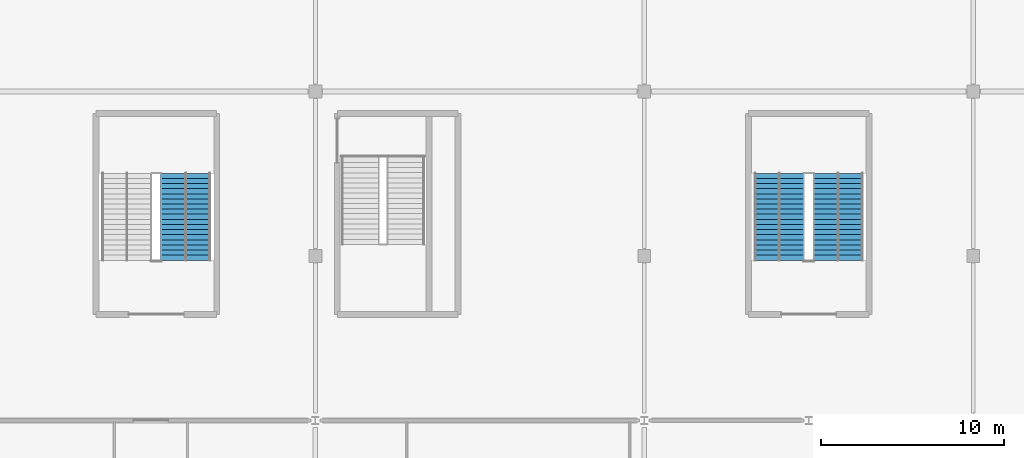
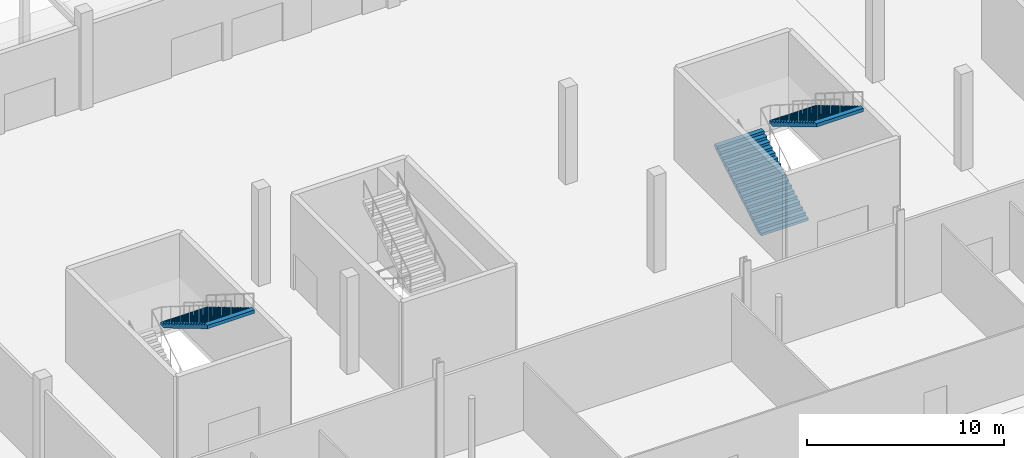
# One storey, part 60 of 84: 3 stair flights, 2 elements without a shape of their own.
"""IFC4 building model written with IfcOpenShell, lengths in metres."""

from ifc_helpers import new_model, si_unit, direction, frame, origin, place, context, subcontext, project, spatial, polygons, material, type_object, element, aggregate, save


model = new_model("IFC4")

# Units and contexts
model_context = context("Model", 3, precision=1e-05, world=origin(), true_north=direction((0.0, 1.0)))
body_context = subcontext(model_context, "Body", "Model", "MODEL_VIEW")
ifc_project = project(units=[si_unit("LENGTHUNIT", "METRE"), si_unit("AREAUNIT", "SQUARE_METRE"), si_unit("VOLUMEUNIT", "CUBIC_METRE"), si_unit("PLANEANGLEUNIT", "RADIAN"), si_unit("MASSUNIT", "GRAM", prefix="KILO")], contexts=[model_context])

# Site, building, storey
site_placement = place(None, origin())
site = spatial("IfcSite", under=ifc_project, at=site_placement, CompositionType="ELEMENT")
building_placement = place(site_placement, origin())
building = spatial("IfcBuilding", under=site, at=building_placement, Name="Kisiwana Market Hall", CompositionType="ELEMENT")
storey_placement = place(building_placement, origin())
storey = spatial("IfcBuildingStorey", under=building, at=storey_placement, Name="L00", CompositionType="ELEMENT", Elevation=0.0)

# Stair, stair flight
ifc_material_1 = material(Name="Concrete C32/40", Category="concrete")
stair_type = type_object("IfcStairType", Name="ST-ESC-6000", PredefinedType="TWO_STRAIGHT_RUN_STAIR", material=ifc_material_1)
stair_1_placement = place(storey_placement, origin())
stair_1 = element("IfcStair", 1, at=stair_1_placement, inside=storey, type_object=stair_type, Name="Escape stair ST-N3-L00", PredefinedType="TWO_STRAIGHT_RUN_STAIR")
ifc_material_2 = material(Name="Concrete C32/40", Category="concrete")
stair_flight_type = type_object("IfcStairFlightType", Name="SF-ESC-6000", PredefinedType="STRAIGHT", material=ifc_material_2)
stair_flight_1_placement = place(storey_placement, frame((55.909912109375, 97.52001953125, 3.0), z_axis=(0.0, 0.0, 1.0), x_axis=(0.0, -1.0, 0.0)))
stair_flight_1 = element("IfcStairFlight", 2, at=stair_flight_1_placement, type_object=stair_flight_type, Name="ST-N3-L00 flight 2", NumberOfRisers=18, NumberOfTreads=17, PredefinedType="STRAIGHT", RiserHeight=0.166667, TreadLength=0.28, context=body_context, shape_type="Tessellation", body=[
    polygons([(0.0, -1.380127, 0.0), (0.0, -0.690125, 0.0), (0.0, -0.000122, 0.0), (0.0, 0.68988, 0.0), (0.0, 1.379883, 0.0), (0.0, -1.380127, 0.166748), (0.0, -0.690125, 0.166748), (0.0, -0.000122, 0.166748), (0.0, 0.68988, 0.166748), (0.0, 1.379883, 0.166748), (0.280029, -1.380127, 0.166748), (0.280029, -0.690125, 0.166748), (0.280029, -0.000122, 0.166748), (0.280029, 0.68988, 0.166748), (0.280029, 1.379883, 0.166748), (0.280029, -1.380127, 0.333252), (0.280029, -0.690125, 0.333252), (0.280029, -0.000122, 0.333252), (0.280029, 0.68988, 0.333252), (0.280029, 1.379883, 0.333252), (0.560059, -1.380127, 0.333252), (0.560059, -0.690125, 0.333252), (0.560059, -0.000122, 0.333252), (0.560059, 0.68988, 0.333252), (0.560059, 1.379883, 0.333252), (0.560059, -1.380127, 0.5), (0.560059, -0.690125, 0.5), (0.560059, -0.000122, 0.5), (0.560059, 0.68988, 0.5), (0.560059, 1.379883, 0.5), (0.840088, -1.380127, 0.5), (0.840088, -0.690125, 0.5), (0.840088, -0.000122, 0.5), (0.840088, 0.68988, 0.5), (0.840088, 1.379883, 0.5), (0.840088, -1.380127, 0.666748), (0.840088, -0.690125, 0.666748), (0.840088, -0.000122, 0.666748), (0.840088, 0.68988, 0.666748), (0.840088, 1.379883, 0.666748), (1.120117, -1.380127, 0.666748), (1.120117, -0.690125, 0.666748), (1.120117, -0.000122, 0.666748), (1.120117, 0.68988, 0.666748), (1.120117, 1.379883, 0.666748), (1.120117, -1.380127, 0.833252), (1.120117, -0.690125, 0.833252), (1.120117, -0.000122, 0.833252), (1.120117, 0.68988, 0.833252), (1.120117, 1.379883, 0.833252), (1.399902, -1.380127, 0.833252), (1.399902, -0.690125, 0.833252), (1.399902, -0.000122, 0.833252), (1.399902, 0.68988, 0.833252), (1.399902, 1.379883, 0.833252), (1.399902, -1.380127, 1.0), (1.399902, -0.690125, 1.0), (1.399902, -0.000122, 1.0), (1.399902, 0.68988, 1.0), (1.399902, 1.379883, 1.0), (1.679932, -1.380127, 1.0), (1.679932, -0.690125, 1.0), (1.679932, -0.000122, 1.0), (1.679932, 0.68988, 1.0), (1.679932, 1.379883, 1.0), (1.679932, -1.380127, 1.166748), (1.679932, -0.690125, 1.166748), (1.679932, -0.000122, 1.166748), (1.679932, 0.68988, 1.166748), (1.679932, 1.379883, 1.166748), (1.959961, -1.380127, 1.166748), (1.959961, -0.690125, 1.166748), (1.959961, -0.000122, 1.166748), (1.959961, 0.68988, 1.166748), (1.959961, 1.379883, 1.166748), (1.959961, -1.380127, 1.333252), (1.959961, -0.690125, 1.333252), (1.959961, -0.000122, 1.333252), (1.959961, 0.68988, 1.333252), (1.959961, 1.379883, 1.333252), (2.23999, -1.380127, 1.333252), (2.23999, -0.690125, 1.333252), (2.23999, -0.000122, 1.333252), (2.23999, 0.68988, 1.333252), (2.23999, 1.379883, 1.333252), (2.23999, -1.380127, 1.5), (2.23999, -0.690125, 1.5), (2.23999, -0.000122, 1.5), (2.23999, 0.68988, 1.5), (2.23999, 1.379883, 1.5), (2.52002, -1.380127, 1.5), (2.52002, -0.690125, 1.5), (2.52002, -0.000122, 1.5), (2.52002, 0.68988, 1.5), (2.52002, 1.379883, 1.5), (2.52002, -1.380127, 1.666748), (2.52002, -0.690125, 1.666748), (2.52002, -0.000122, 1.666748), (2.52002, 0.68988, 1.666748), (2.52002, 1.379883, 1.666748), (2.800049, -1.380127, 1.666748), (2.800049, -0.690125, 1.666748), (2.800049, -0.000122, 1.666748), (2.800049, 0.68988, 1.666748), (2.800049, 1.379883, 1.666748), (2.800049, -1.380127, 1.833252), (2.800049, -0.690125, 1.833252), (2.800049, -0.000122, 1.833252), (2.800049, 0.68988, 1.833252), (2.800049, 1.379883, 1.833252), (3.080078, -1.380127, 1.833252), (3.080078, -0.690125, 1.833252), (3.080078, -0.000122, 1.833252), (3.080078, 0.68988, 1.833252), (3.080078, 1.379883, 1.833252), (3.080078, -1.380127, 2.0), (3.080078, -0.690125, 2.0), (3.080078, -0.000122, 2.0), (3.080078, 0.68988, 2.0), (3.080078, 1.379883, 2.0), (3.360107, -1.380127, 2.0), (3.360107, -0.690125, 2.0), (3.360107, -0.000122, 2.0), (3.360107, 0.68988, 2.0), (3.360107, 1.379883, 2.0), (3.360107, -1.380127, 2.166748), (3.360107, -0.690125, 2.166748), (3.360107, -0.000122, 2.166748), (3.360107, 0.68988, 2.166748), (3.360107, 1.379883, 2.166748), (3.639893, -1.380127, 2.166748), (3.639893, -0.690125, 2.166748), (3.639893, -0.000122, 2.166748), (3.639893, 0.68988, 2.166748), (3.639893, 1.379883, 2.166748), (3.639893, -1.380127, 2.333252), (3.639893, -0.690125, 2.333252), (3.639893, -0.000122, 2.333252), (3.639893, 0.68988, 2.333252), (3.639893, 1.379883, 2.333252), (3.919922, -1.380127, 2.333252), (3.919922, -0.690125, 2.333252), (3.919922, -0.000122, 2.333252), (3.919922, 0.68988, 2.333252), (3.919922, 1.379883, 2.333252), (3.919922, -1.380127, 2.5), (3.919922, -0.690125, 2.5), (3.919922, -0.000122, 2.5), (3.919922, 0.68988, 2.5), (3.919922, 1.379883, 2.5), (4.199951, -1.380127, 2.5), (4.199951, -0.690125, 2.5), (4.199951, -0.000122, 2.5), (4.199951, 0.68988, 2.5), (4.199951, 1.379883, 2.5), (4.199951, -1.380127, 2.666748), (4.199951, -0.690125, 2.666748), (4.199951, -0.000122, 2.666748), (4.199951, 0.68988, 2.666748), (4.199951, 1.379883, 2.666748), (4.47998, -1.380127, 2.666748), (4.47998, -0.690125, 2.666748), (4.47998, -0.000122, 2.666748), (4.47998, 0.68988, 2.666748), (4.47998, 1.379883, 2.666748), (4.47998, -1.380127, 2.833252), (4.47998, -0.690125, 2.833252), (4.47998, -0.000122, 2.833252), (4.47998, 0.68988, 2.833252), (4.47998, 1.379883, 2.833252), (4.76001, -1.380127, 2.833252), (4.76001, -0.690125, 2.833252), (4.76001, -0.000122, 2.833252), (4.76001, 0.68988, 2.833252), (4.76001, 1.379883, 2.833252), (4.76001, -1.380127, 2.624023), (4.76001, -0.690125, 2.624023), (4.76001, -0.000122, 2.624023), (4.76001, 0.68988, 2.624023), (4.76001, 1.379883, 2.624023), (0.351807, -1.380127, 0.0), (0.351807, -0.690125, 0.0), (0.351807, -0.000122, 0.0), (0.351807, 0.68988, 0.0), (0.351807, 1.379883, 0.0)], [[[1, 6, 7, 2]], [[2, 7, 8, 3]], [[3, 8, 9, 4]], [[4, 9, 10, 5]], [[6, 11, 12, 7]], [[7, 12, 13, 8]], [[8, 13, 14, 9]], [[9, 14, 15, 10]], [[11, 16, 17, 12]], [[12, 17, 18, 13]], [[13, 18, 19, 14]], [[14, 19, 20, 15]], [[16, 21, 22, 17]], [[17, 22, 23, 18]], [[18, 23, 24, 19]], [[19, 24, 25, 20]], [[21, 26, 27, 22]], [[22, 27, 28, 23]], [[23, 28, 29, 24]], [[24, 29, 30, 25]], [[26, 31, 32, 27]], [[27, 32, 33, 28]], [[28, 33, 34, 29]], [[29, 34, 35, 30]], [[31, 36, 37, 32]], [[32, 37, 38, 33]], [[33, 38, 39, 34]], [[34, 39, 40, 35]], [[36, 41, 42, 37]], [[37, 42, 43, 38]], [[38, 43, 44, 39]], [[39, 44, 45, 40]], [[41, 46, 47, 42]], [[42, 47, 48, 43]], [[43, 48, 49, 44]], [[44, 49, 50, 45]], [[46, 51, 52, 47]], [[47, 52, 53, 48]], [[48, 53, 54, 49]], [[49, 54, 55, 50]], [[51, 56, 57, 52]], [[52, 57, 58, 53]], [[53, 58, 59, 54]], [[54, 59, 60, 55]], [[56, 61, 62, 57]], [[57, 62, 63, 58]], [[58, 63, 64, 59]], [[59, 64, 65, 60]], [[61, 66, 67, 62]], [[62, 67, 68, 63]], [[63, 68, 69, 64]], [[64, 69, 70, 65]], [[66, 71, 72, 67]], [[67, 72, 73, 68]], [[68, 73, 74, 69]], [[69, 74, 75, 70]], [[71, 76, 77, 72]], [[72, 77, 78, 73]], [[73, 78, 79, 74]], [[74, 79, 80, 75]], [[76, 81, 82, 77]], [[77, 82, 83, 78]], [[78, 83, 84, 79]], [[79, 84, 85, 80]], [[81, 86, 87, 82]], [[82, 87, 88, 83]], [[83, 88, 89, 84]], [[84, 89, 90, 85]], [[86, 91, 92, 87]], [[87, 92, 93, 88]], [[88, 93, 94, 89]], [[89, 94, 95, 90]], [[91, 96, 97, 92]], [[92, 97, 98, 93]], [[93, 98, 99, 94]], [[94, 99, 100, 95]], [[96, 101, 102, 97]], [[97, 102, 103, 98]], [[98, 103, 104, 99]], [[99, 104, 105, 100]], [[101, 106, 107, 102]], [[102, 107, 108, 103]], [[103, 108, 109, 104]], [[104, 109, 110, 105]], [[106, 111, 112, 107]], [[107, 112, 113, 108]], [[108, 113, 114, 109]], [[109, 114, 115, 110]], [[111, 116, 117, 112]], [[112, 117, 118, 113]], [[113, 118, 119, 114]], [[114, 119, 120, 115]], [[116, 121, 122, 117]], [[117, 122, 123, 118]], [[118, 123, 124, 119]], [[119, 124, 125, 120]], [[121, 126, 127, 122]], [[122, 127, 128, 123]], [[123, 128, 129, 124]], [[124, 129, 130, 125]], [[126, 131, 132, 127]], [[127, 132, 133, 128]], [[128, 133, 134, 129]], [[129, 134, 135, 130]], [[131, 136, 137, 132]], [[132, 137, 138, 133]], [[133, 138, 139, 134]], [[134, 139, 140, 135]], [[136, 141, 142, 137]], [[137, 142, 143, 138]], [[138, 143, 144, 139]], [[139, 144, 145, 140]], [[141, 146, 147, 142]], [[142, 147, 148, 143]], [[143, 148, 149, 144]], [[144, 149, 150, 145]], [[146, 151, 152, 147]], [[147, 152, 153, 148]], [[148, 153, 154, 149]], [[149, 154, 155, 150]], [[151, 156, 157, 152]], [[152, 157, 158, 153]], [[153, 158, 159, 154]], [[154, 159, 160, 155]], [[156, 161, 162, 157]], [[157, 162, 163, 158]], [[158, 163, 164, 159]], [[159, 164, 165, 160]], [[161, 166, 167, 162]], [[162, 167, 168, 163]], [[163, 168, 169, 164]], [[164, 169, 170, 165]], [[166, 171, 172, 167]], [[167, 172, 173, 168]], [[168, 173, 174, 169]], [[169, 174, 175, 170]], [[171, 176, 177, 172]], [[172, 177, 178, 173]], [[173, 178, 179, 174]], [[174, 179, 180, 175]], [[176, 181, 182, 177]], [[177, 182, 183, 178]], [[178, 183, 184, 179]], [[179, 184, 185, 180]], [[181, 1, 2, 182]], [[182, 2, 3, 183]], [[183, 3, 4, 184]], [[184, 4, 5, 185]], [[181, 176, 171, 166, 161, 156, 151, 146, 141, 136, 131, 126, 121, 116, 111, 106, 101, 96, 91, 86, 81, 76, 71, 66, 61, 56, 51, 46, 41, 36, 31, 26, 21, 16, 11, 6, 1]], [[5, 10, 15, 20, 25, 30, 35, 40, 45, 50, 55, 60, 65, 70, 75, 80, 85, 90, 95, 100, 105, 110, 115, 120, 125, 130, 135, 140, 145, 150, 155, 160, 165, 170, 175, 180, 185]]], closed=True),
])
aggregate(stair_1, [stair_flight_1])

# Stair, stair flights
stair_2_placement = place(storey_placement, origin())
stair_2 = element("IfcStair", 3, at=stair_2_placement, inside=storey, type_object=stair_type, Name="Escape stair ST-N4-L00", PredefinedType="TWO_STRAIGHT_RUN_STAIR")
stair_flight_2_placement = place(storey_placement, frame((88.389892578125, 92.760009765625, 0.0), z_axis=(0.0, 0.0, 1.0), x_axis=(0.0, 1.0, 0.0)))
stair_flight_2 = element("IfcStairFlight", 4, at=stair_flight_2_placement, type_object=stair_flight_type, Name="ST-N4-L00 flight 1", NumberOfRisers=18, NumberOfTreads=17, PredefinedType="STRAIGHT", RiserHeight=0.166667, TreadLength=0.28, context=body_context, shape_type="Tessellation", body=[
    polygons([(0.0, -1.380127, 0.0), (0.0, -0.690125, 0.0), (0.0, -0.000122, 0.0), (0.0, 0.68988, 0.0), (0.0, 1.379883, 0.0), (0.0, -1.380127, 0.166748), (0.0, -0.690125, 0.166748), (0.0, -0.000122, 0.166748), (0.0, 0.68988, 0.166748), (0.0, 1.379883, 0.166748), (0.280029, -1.380127, 0.166748), (0.280029, -0.690125, 0.166748), (0.280029, -0.000122, 0.166748), (0.280029, 0.68988, 0.166748), (0.280029, 1.379883, 0.166748), (0.280029, -1.380127, 0.333252), (0.280029, -0.690125, 0.333252), (0.280029, -0.000122, 0.333252), (0.280029, 0.68988, 0.333252), (0.280029, 1.379883, 0.333252), (0.560059, -1.380127, 0.333252), (0.560059, -0.690125, 0.333252), (0.560059, -0.000122, 0.333252), (0.560059, 0.68988, 0.333252), (0.560059, 1.379883, 0.333252), (0.560059, -1.380127, 0.5), (0.560059, -0.690125, 0.5), (0.560059, -0.000122, 0.5), (0.560059, 0.68988, 0.5), (0.560059, 1.379883, 0.5), (0.840088, -1.380127, 0.5), (0.840088, -0.690125, 0.5), (0.840088, -0.000122, 0.5), (0.840088, 0.68988, 0.5), (0.840088, 1.379883, 0.5), (0.840088, -1.380127, 0.666748), (0.840088, -0.690125, 0.666748), (0.840088, -0.000122, 0.666748), (0.840088, 0.68988, 0.666748), (0.840088, 1.379883, 0.666748), (1.120117, -1.380127, 0.666748), (1.120117, -0.690125, 0.666748), (1.120117, -0.000122, 0.666748), (1.120117, 0.68988, 0.666748), (1.120117, 1.379883, 0.666748), (1.120117, -1.380127, 0.833252), (1.120117, -0.690125, 0.833252), (1.120117, -0.000122, 0.833252), (1.120117, 0.68988, 0.833252), (1.120117, 1.379883, 0.833252), (1.399902, -1.380127, 0.833252), (1.399902, -0.690125, 0.833252), (1.399902, -0.000122, 0.833252), (1.399902, 0.68988, 0.833252), (1.399902, 1.379883, 0.833252), (1.399902, -1.380127, 1.0), (1.399902, -0.690125, 1.0), (1.399902, -0.000122, 1.0), (1.399902, 0.68988, 1.0), (1.399902, 1.379883, 1.0), (1.679932, -1.380127, 1.0), (1.679932, -0.690125, 1.0), (1.679932, -0.000122, 1.0), (1.679932, 0.68988, 1.0), (1.679932, 1.379883, 1.0), (1.679932, -1.380127, 1.166748), (1.679932, -0.690125, 1.166748), (1.679932, -0.000122, 1.166748), (1.679932, 0.68988, 1.166748), (1.679932, 1.379883, 1.166748), (1.959961, -1.380127, 1.166748), (1.959961, -0.690125, 1.166748), (1.959961, -0.000122, 1.166748), (1.959961, 0.68988, 1.166748), (1.959961, 1.379883, 1.166748), (1.959961, -1.380127, 1.333252), (1.959961, -0.690125, 1.333252), (1.959961, -0.000122, 1.333252), (1.959961, 0.68988, 1.333252), (1.959961, 1.379883, 1.333252), (2.23999, -1.380127, 1.333252), (2.23999, -0.690125, 1.333252), (2.23999, -0.000122, 1.333252), (2.23999, 0.68988, 1.333252), (2.23999, 1.379883, 1.333252), (2.23999, -1.380127, 1.5), (2.23999, -0.690125, 1.5), (2.23999, -0.000122, 1.5), (2.23999, 0.68988, 1.5), (2.23999, 1.379883, 1.5), (2.52002, -1.380127, 1.5), (2.52002, -0.690125, 1.5), (2.52002, -0.000122, 1.5), (2.52002, 0.68988, 1.5), (2.52002, 1.379883, 1.5), (2.52002, -1.380127, 1.666748), (2.52002, -0.690125, 1.666748), (2.52002, -0.000122, 1.666748), (2.52002, 0.68988, 1.666748), (2.52002, 1.379883, 1.666748), (2.800049, -1.380127, 1.666748), (2.800049, -0.690125, 1.666748), (2.800049, -0.000122, 1.666748), (2.800049, 0.68988, 1.666748), (2.800049, 1.379883, 1.666748), (2.800049, -1.380127, 1.833252), (2.800049, -0.690125, 1.833252), (2.800049, -0.000122, 1.833252), (2.800049, 0.68988, 1.833252), (2.800049, 1.379883, 1.833252), (3.080078, -1.380127, 1.833252), (3.080078, -0.690125, 1.833252), (3.080078, -0.000122, 1.833252), (3.080078, 0.68988, 1.833252), (3.080078, 1.379883, 1.833252), (3.080078, -1.380127, 2.0), (3.080078, -0.690125, 2.0), (3.080078, -0.000122, 2.0), (3.080078, 0.68988, 2.0), (3.080078, 1.379883, 2.0), (3.360107, -1.380127, 2.0), (3.360107, -0.690125, 2.0), (3.360107, -0.000122, 2.0), (3.360107, 0.68988, 2.0), (3.360107, 1.379883, 2.0), (3.360107, -1.380127, 2.166748), (3.360107, -0.690125, 2.166748), (3.360107, -0.000122, 2.166748), (3.360107, 0.68988, 2.166748), (3.360107, 1.379883, 2.166748), (3.639893, -1.380127, 2.166748), (3.639893, -0.690125, 2.166748), (3.639893, -0.000122, 2.166748), (3.639893, 0.68988, 2.166748), (3.639893, 1.379883, 2.166748), (3.639893, -1.380127, 2.333252), (3.639893, -0.690125, 2.333252), (3.639893, -0.000122, 2.333252), (3.639893, 0.68988, 2.333252), (3.639893, 1.379883, 2.333252), (3.919922, -1.380127, 2.333252), (3.919922, -0.690125, 2.333252), (3.919922, -0.000122, 2.333252), (3.919922, 0.68988, 2.333252), (3.919922, 1.379883, 2.333252), (3.919922, -1.380127, 2.5), (3.919922, -0.690125, 2.5), (3.919922, -0.000122, 2.5), (3.919922, 0.68988, 2.5), (3.919922, 1.379883, 2.5), (4.199951, -1.380127, 2.5), (4.199951, -0.690125, 2.5), (4.199951, -0.000122, 2.5), (4.199951, 0.68988, 2.5), (4.199951, 1.379883, 2.5), (4.199951, -1.380127, 2.666748), (4.199951, -0.690125, 2.666748), (4.199951, -0.000122, 2.666748), (4.199951, 0.68988, 2.666748), (4.199951, 1.379883, 2.666748), (4.47998, -1.380127, 2.666748), (4.47998, -0.690125, 2.666748), (4.47998, -0.000122, 2.666748), (4.47998, 0.68988, 2.666748), (4.47998, 1.379883, 2.666748), (4.47998, -1.380127, 2.833252), (4.47998, -0.690125, 2.833252), (4.47998, -0.000122, 2.833252), (4.47998, 0.68988, 2.833252), (4.47998, 1.379883, 2.833252), (4.76001, -1.380127, 2.833252), (4.76001, -0.690125, 2.833252), (4.76001, -0.000122, 2.833252), (4.76001, 0.68988, 2.833252), (4.76001, 1.379883, 2.833252), (4.76001, -1.380127, 2.624023), (4.76001, -0.690125, 2.624023), (4.76001, -0.000122, 2.624023), (4.76001, 0.68988, 2.624023), (4.76001, 1.379883, 2.624023), (0.351807, -1.380127, 0.0), (0.351807, -0.690125, 0.0), (0.351807, -0.000122, 0.0), (0.351807, 0.68988, 0.0), (0.351807, 1.379883, 0.0)], [[[1, 6, 7, 2]], [[2, 7, 8, 3]], [[3, 8, 9, 4]], [[4, 9, 10, 5]], [[6, 11, 12, 7]], [[7, 12, 13, 8]], [[8, 13, 14, 9]], [[9, 14, 15, 10]], [[11, 16, 17, 12]], [[12, 17, 18, 13]], [[13, 18, 19, 14]], [[14, 19, 20, 15]], [[16, 21, 22, 17]], [[17, 22, 23, 18]], [[18, 23, 24, 19]], [[19, 24, 25, 20]], [[21, 26, 27, 22]], [[22, 27, 28, 23]], [[23, 28, 29, 24]], [[24, 29, 30, 25]], [[26, 31, 32, 27]], [[27, 32, 33, 28]], [[28, 33, 34, 29]], [[29, 34, 35, 30]], [[31, 36, 37, 32]], [[32, 37, 38, 33]], [[33, 38, 39, 34]], [[34, 39, 40, 35]], [[36, 41, 42, 37]], [[37, 42, 43, 38]], [[38, 43, 44, 39]], [[39, 44, 45, 40]], [[41, 46, 47, 42]], [[42, 47, 48, 43]], [[43, 48, 49, 44]], [[44, 49, 50, 45]], [[46, 51, 52, 47]], [[47, 52, 53, 48]], [[48, 53, 54, 49]], [[49, 54, 55, 50]], [[51, 56, 57, 52]], [[52, 57, 58, 53]], [[53, 58, 59, 54]], [[54, 59, 60, 55]], [[56, 61, 62, 57]], [[57, 62, 63, 58]], [[58, 63, 64, 59]], [[59, 64, 65, 60]], [[61, 66, 67, 62]], [[62, 67, 68, 63]], [[63, 68, 69, 64]], [[64, 69, 70, 65]], [[66, 71, 72, 67]], [[67, 72, 73, 68]], [[68, 73, 74, 69]], [[69, 74, 75, 70]], [[71, 76, 77, 72]], [[72, 77, 78, 73]], [[73, 78, 79, 74]], [[74, 79, 80, 75]], [[76, 81, 82, 77]], [[77, 82, 83, 78]], [[78, 83, 84, 79]], [[79, 84, 85, 80]], [[81, 86, 87, 82]], [[82, 87, 88, 83]], [[83, 88, 89, 84]], [[84, 89, 90, 85]], [[86, 91, 92, 87]], [[87, 92, 93, 88]], [[88, 93, 94, 89]], [[89, 94, 95, 90]], [[91, 96, 97, 92]], [[92, 97, 98, 93]], [[93, 98, 99, 94]], [[94, 99, 100, 95]], [[96, 101, 102, 97]], [[97, 102, 103, 98]], [[98, 103, 104, 99]], [[99, 104, 105, 100]], [[101, 106, 107, 102]], [[102, 107, 108, 103]], [[103, 108, 109, 104]], [[104, 109, 110, 105]], [[106, 111, 112, 107]], [[107, 112, 113, 108]], [[108, 113, 114, 109]], [[109, 114, 115, 110]], [[111, 116, 117, 112]], [[112, 117, 118, 113]], [[113, 118, 119, 114]], [[114, 119, 120, 115]], [[116, 121, 122, 117]], [[117, 122, 123, 118]], [[118, 123, 124, 119]], [[119, 124, 125, 120]], [[121, 126, 127, 122]], [[122, 127, 128, 123]], [[123, 128, 129, 124]], [[124, 129, 130, 125]], [[126, 131, 132, 127]], [[127, 132, 133, 128]], [[128, 133, 134, 129]], [[129, 134, 135, 130]], [[131, 136, 137, 132]], [[132, 137, 138, 133]], [[133, 138, 139, 134]], [[134, 139, 140, 135]], [[136, 141, 142, 137]], [[137, 142, 143, 138]], [[138, 143, 144, 139]], [[139, 144, 145, 140]], [[141, 146, 147, 142]], [[142, 147, 148, 143]], [[143, 148, 149, 144]], [[144, 149, 150, 145]], [[146, 151, 152, 147]], [[147, 152, 153, 148]], [[148, 153, 154, 149]], [[149, 154, 155, 150]], [[151, 156, 157, 152]], [[152, 157, 158, 153]], [[153, 158, 159, 154]], [[154, 159, 160, 155]], [[156, 161, 162, 157]], [[157, 162, 163, 158]], [[158, 163, 164, 159]], [[159, 164, 165, 160]], [[161, 166, 167, 162]], [[162, 167, 168, 163]], [[163, 168, 169, 164]], [[164, 169, 170, 165]], [[166, 171, 172, 167]], [[167, 172, 173, 168]], [[168, 173, 174, 169]], [[169, 174, 175, 170]], [[171, 176, 177, 172]], [[172, 177, 178, 173]], [[173, 178, 179, 174]], [[174, 179, 180, 175]], [[176, 181, 182, 177]], [[177, 182, 183, 178]], [[178, 183, 184, 179]], [[179, 184, 185, 180]], [[181, 1, 2, 182]], [[182, 2, 3, 183]], [[183, 3, 4, 184]], [[184, 4, 5, 185]], [[181, 176, 171, 166, 161, 156, 151, 146, 141, 136, 131, 126, 121, 116, 111, 106, 101, 96, 91, 86, 81, 76, 71, 66, 61, 56, 51, 46, 41, 36, 31, 26, 21, 16, 11, 6, 1]], [[5, 10, 15, 20, 25, 30, 35, 40, 45, 50, 55, 60, 65, 70, 75, 80, 85, 90, 95, 100, 105, 110, 115, 120, 125, 130, 135, 140, 145, 150, 155, 160, 165, 170, 175, 180, 185]]], closed=True),
])
stair_flight_3_placement = place(storey_placement, frame((91.610107421875, 97.52001953125, 3.0), z_axis=(0.0, 0.0, 1.0), x_axis=(0.0, -1.0, 0.0)))
stair_flight_3 = element("IfcStairFlight", 5, at=stair_flight_3_placement, type_object=stair_flight_type, Name="ST-N4-L00 flight 2", NumberOfRisers=18, NumberOfTreads=17, PredefinedType="STRAIGHT", RiserHeight=0.166667, TreadLength=0.28, context=body_context, shape_type="Tessellation", body=[
    polygons([(0.0, -1.380127, 0.0), (0.0, -0.690125, 0.0), (0.0, -0.000122, 0.0), (0.0, 0.68988, 0.0), (0.0, 1.379883, 0.0), (0.0, -1.380127, 0.166748), (0.0, -0.690125, 0.166748), (0.0, -0.000122, 0.166748), (0.0, 0.68988, 0.166748), (0.0, 1.379883, 0.166748), (0.280029, -1.380127, 0.166748), (0.280029, -0.690125, 0.166748), (0.280029, -0.000122, 0.166748), (0.280029, 0.68988, 0.166748), (0.280029, 1.379883, 0.166748), (0.280029, -1.380127, 0.333252), (0.280029, -0.690125, 0.333252), (0.280029, -0.000122, 0.333252), (0.280029, 0.68988, 0.333252), (0.280029, 1.379883, 0.333252), (0.560059, -1.380127, 0.333252), (0.560059, -0.690125, 0.333252), (0.560059, -0.000122, 0.333252), (0.560059, 0.68988, 0.333252), (0.560059, 1.379883, 0.333252), (0.560059, -1.380127, 0.5), (0.560059, -0.690125, 0.5), (0.560059, -0.000122, 0.5), (0.560059, 0.68988, 0.5), (0.560059, 1.379883, 0.5), (0.840088, -1.380127, 0.5), (0.840088, -0.690125, 0.5), (0.840088, -0.000122, 0.5), (0.840088, 0.68988, 0.5), (0.840088, 1.379883, 0.5), (0.840088, -1.380127, 0.666748), (0.840088, -0.690125, 0.666748), (0.840088, -0.000122, 0.666748), (0.840088, 0.68988, 0.666748), (0.840088, 1.379883, 0.666748), (1.120117, -1.380127, 0.666748), (1.120117, -0.690125, 0.666748), (1.120117, -0.000122, 0.666748), (1.120117, 0.68988, 0.666748), (1.120117, 1.379883, 0.666748), (1.120117, -1.380127, 0.833252), (1.120117, -0.690125, 0.833252), (1.120117, -0.000122, 0.833252), (1.120117, 0.68988, 0.833252), (1.120117, 1.379883, 0.833252), (1.399902, -1.380127, 0.833252), (1.399902, -0.690125, 0.833252), (1.399902, -0.000122, 0.833252), (1.399902, 0.68988, 0.833252), (1.399902, 1.379883, 0.833252), (1.399902, -1.380127, 1.0), (1.399902, -0.690125, 1.0), (1.399902, -0.000122, 1.0), (1.399902, 0.68988, 1.0), (1.399902, 1.379883, 1.0), (1.679932, -1.380127, 1.0), (1.679932, -0.690125, 1.0), (1.679932, -0.000122, 1.0), (1.679932, 0.68988, 1.0), (1.679932, 1.379883, 1.0), (1.679932, -1.380127, 1.166748), (1.679932, -0.690125, 1.166748), (1.679932, -0.000122, 1.166748), (1.679932, 0.68988, 1.166748), (1.679932, 1.379883, 1.166748), (1.959961, -1.380127, 1.166748), (1.959961, -0.690125, 1.166748), (1.959961, -0.000122, 1.166748), (1.959961, 0.68988, 1.166748), (1.959961, 1.379883, 1.166748), (1.959961, -1.380127, 1.333252), (1.959961, -0.690125, 1.333252), (1.959961, -0.000122, 1.333252), (1.959961, 0.68988, 1.333252), (1.959961, 1.379883, 1.333252), (2.23999, -1.380127, 1.333252), (2.23999, -0.690125, 1.333252), (2.23999, -0.000122, 1.333252), (2.23999, 0.68988, 1.333252), (2.23999, 1.379883, 1.333252), (2.23999, -1.380127, 1.5), (2.23999, -0.690125, 1.5), (2.23999, -0.000122, 1.5), (2.23999, 0.68988, 1.5), (2.23999, 1.379883, 1.5), (2.52002, -1.380127, 1.5), (2.52002, -0.690125, 1.5), (2.52002, -0.000122, 1.5), (2.52002, 0.68988, 1.5), (2.52002, 1.379883, 1.5), (2.52002, -1.380127, 1.666748), (2.52002, -0.690125, 1.666748), (2.52002, -0.000122, 1.666748), (2.52002, 0.68988, 1.666748), (2.52002, 1.379883, 1.666748), (2.800049, -1.380127, 1.666748), (2.800049, -0.690125, 1.666748), (2.800049, -0.000122, 1.666748), (2.800049, 0.68988, 1.666748), (2.800049, 1.379883, 1.666748), (2.800049, -1.380127, 1.833252), (2.800049, -0.690125, 1.833252), (2.800049, -0.000122, 1.833252), (2.800049, 0.68988, 1.833252), (2.800049, 1.379883, 1.833252), (3.080078, -1.380127, 1.833252), (3.080078, -0.690125, 1.833252), (3.080078, -0.000122, 1.833252), (3.080078, 0.68988, 1.833252), (3.080078, 1.379883, 1.833252), (3.080078, -1.380127, 2.0), (3.080078, -0.690125, 2.0), (3.080078, -0.000122, 2.0), (3.080078, 0.68988, 2.0), (3.080078, 1.379883, 2.0), (3.360107, -1.380127, 2.0), (3.360107, -0.690125, 2.0), (3.360107, -0.000122, 2.0), (3.360107, 0.68988, 2.0), (3.360107, 1.379883, 2.0), (3.360107, -1.380127, 2.166748), (3.360107, -0.690125, 2.166748), (3.360107, -0.000122, 2.166748), (3.360107, 0.68988, 2.166748), (3.360107, 1.379883, 2.166748), (3.639893, -1.380127, 2.166748), (3.639893, -0.690125, 2.166748), (3.639893, -0.000122, 2.166748), (3.639893, 0.68988, 2.166748), (3.639893, 1.379883, 2.166748), (3.639893, -1.380127, 2.333252), (3.639893, -0.690125, 2.333252), (3.639893, -0.000122, 2.333252), (3.639893, 0.68988, 2.333252), (3.639893, 1.379883, 2.333252), (3.919922, -1.380127, 2.333252), (3.919922, -0.690125, 2.333252), (3.919922, -0.000122, 2.333252), (3.919922, 0.68988, 2.333252), (3.919922, 1.379883, 2.333252), (3.919922, -1.380127, 2.5), (3.919922, -0.690125, 2.5), (3.919922, -0.000122, 2.5), (3.919922, 0.68988, 2.5), (3.919922, 1.379883, 2.5), (4.199951, -1.380127, 2.5), (4.199951, -0.690125, 2.5), (4.199951, -0.000122, 2.5), (4.199951, 0.68988, 2.5), (4.199951, 1.379883, 2.5), (4.199951, -1.380127, 2.666748), (4.199951, -0.690125, 2.666748), (4.199951, -0.000122, 2.666748), (4.199951, 0.68988, 2.666748), (4.199951, 1.379883, 2.666748), (4.47998, -1.380127, 2.666748), (4.47998, -0.690125, 2.666748), (4.47998, -0.000122, 2.666748), (4.47998, 0.68988, 2.666748), (4.47998, 1.379883, 2.666748), (4.47998, -1.380127, 2.833252), (4.47998, -0.690125, 2.833252), (4.47998, -0.000122, 2.833252), (4.47998, 0.68988, 2.833252), (4.47998, 1.379883, 2.833252), (4.76001, -1.380127, 2.833252), (4.76001, -0.690125, 2.833252), (4.76001, -0.000122, 2.833252), (4.76001, 0.68988, 2.833252), (4.76001, 1.379883, 2.833252), (4.76001, -1.380127, 2.624023), (4.76001, -0.690125, 2.624023), (4.76001, -0.000122, 2.624023), (4.76001, 0.68988, 2.624023), (4.76001, 1.379883, 2.624023), (0.351807, -1.380127, 0.0), (0.351807, -0.690125, 0.0), (0.351807, -0.000122, 0.0), (0.351807, 0.68988, 0.0), (0.351807, 1.379883, 0.0)], [[[1, 6, 7, 2]], [[2, 7, 8, 3]], [[3, 8, 9, 4]], [[4, 9, 10, 5]], [[6, 11, 12, 7]], [[7, 12, 13, 8]], [[8, 13, 14, 9]], [[9, 14, 15, 10]], [[11, 16, 17, 12]], [[12, 17, 18, 13]], [[13, 18, 19, 14]], [[14, 19, 20, 15]], [[16, 21, 22, 17]], [[17, 22, 23, 18]], [[18, 23, 24, 19]], [[19, 24, 25, 20]], [[21, 26, 27, 22]], [[22, 27, 28, 23]], [[23, 28, 29, 24]], [[24, 29, 30, 25]], [[26, 31, 32, 27]], [[27, 32, 33, 28]], [[28, 33, 34, 29]], [[29, 34, 35, 30]], [[31, 36, 37, 32]], [[32, 37, 38, 33]], [[33, 38, 39, 34]], [[34, 39, 40, 35]], [[36, 41, 42, 37]], [[37, 42, 43, 38]], [[38, 43, 44, 39]], [[39, 44, 45, 40]], [[41, 46, 47, 42]], [[42, 47, 48, 43]], [[43, 48, 49, 44]], [[44, 49, 50, 45]], [[46, 51, 52, 47]], [[47, 52, 53, 48]], [[48, 53, 54, 49]], [[49, 54, 55, 50]], [[51, 56, 57, 52]], [[52, 57, 58, 53]], [[53, 58, 59, 54]], [[54, 59, 60, 55]], [[56, 61, 62, 57]], [[57, 62, 63, 58]], [[58, 63, 64, 59]], [[59, 64, 65, 60]], [[61, 66, 67, 62]], [[62, 67, 68, 63]], [[63, 68, 69, 64]], [[64, 69, 70, 65]], [[66, 71, 72, 67]], [[67, 72, 73, 68]], [[68, 73, 74, 69]], [[69, 74, 75, 70]], [[71, 76, 77, 72]], [[72, 77, 78, 73]], [[73, 78, 79, 74]], [[74, 79, 80, 75]], [[76, 81, 82, 77]], [[77, 82, 83, 78]], [[78, 83, 84, 79]], [[79, 84, 85, 80]], [[81, 86, 87, 82]], [[82, 87, 88, 83]], [[83, 88, 89, 84]], [[84, 89, 90, 85]], [[86, 91, 92, 87]], [[87, 92, 93, 88]], [[88, 93, 94, 89]], [[89, 94, 95, 90]], [[91, 96, 97, 92]], [[92, 97, 98, 93]], [[93, 98, 99, 94]], [[94, 99, 100, 95]], [[96, 101, 102, 97]], [[97, 102, 103, 98]], [[98, 103, 104, 99]], [[99, 104, 105, 100]], [[101, 106, 107, 102]], [[102, 107, 108, 103]], [[103, 108, 109, 104]], [[104, 109, 110, 105]], [[106, 111, 112, 107]], [[107, 112, 113, 108]], [[108, 113, 114, 109]], [[109, 114, 115, 110]], [[111, 116, 117, 112]], [[112, 117, 118, 113]], [[113, 118, 119, 114]], [[114, 119, 120, 115]], [[116, 121, 122, 117]], [[117, 122, 123, 118]], [[118, 123, 124, 119]], [[119, 124, 125, 120]], [[121, 126, 127, 122]], [[122, 127, 128, 123]], [[123, 128, 129, 124]], [[124, 129, 130, 125]], [[126, 131, 132, 127]], [[127, 132, 133, 128]], [[128, 133, 134, 129]], [[129, 134, 135, 130]], [[131, 136, 137, 132]], [[132, 137, 138, 133]], [[133, 138, 139, 134]], [[134, 139, 140, 135]], [[136, 141, 142, 137]], [[137, 142, 143, 138]], [[138, 143, 144, 139]], [[139, 144, 145, 140]], [[141, 146, 147, 142]], [[142, 147, 148, 143]], [[143, 148, 149, 144]], [[144, 149, 150, 145]], [[146, 151, 152, 147]], [[147, 152, 153, 148]], [[148, 153, 154, 149]], [[149, 154, 155, 150]], [[151, 156, 157, 152]], [[152, 157, 158, 153]], [[153, 158, 159, 154]], [[154, 159, 160, 155]], [[156, 161, 162, 157]], [[157, 162, 163, 158]], [[158, 163, 164, 159]], [[159, 164, 165, 160]], [[161, 166, 167, 162]], [[162, 167, 168, 163]], [[163, 168, 169, 164]], [[164, 169, 170, 165]], [[166, 171, 172, 167]], [[167, 172, 173, 168]], [[168, 173, 174, 169]], [[169, 174, 175, 170]], [[171, 176, 177, 172]], [[172, 177, 178, 173]], [[173, 178, 179, 174]], [[174, 179, 180, 175]], [[176, 181, 182, 177]], [[177, 182, 183, 178]], [[178, 183, 184, 179]], [[179, 184, 185, 180]], [[181, 1, 2, 182]], [[182, 2, 3, 183]], [[183, 3, 4, 184]], [[184, 4, 5, 185]], [[181, 176, 171, 166, 161, 156, 151, 146, 141, 136, 131, 126, 121, 116, 111, 106, 101, 96, 91, 86, 81, 76, 71, 66, 61, 56, 51, 46, 41, 36, 31, 26, 21, 16, 11, 6, 1]], [[5, 10, 15, 20, 25, 30, 35, 40, 45, 50, 55, 60, 65, 70, 75, 80, 85, 90, 95, 100, 105, 110, 115, 120, 125, 130, 135, 140, 145, 150, 155, 160, 165, 170, 175, 180, 185]]], closed=True),
])
aggregate(stair_2, [stair_flight_2, stair_flight_3])

save(model, "model.ifc")
